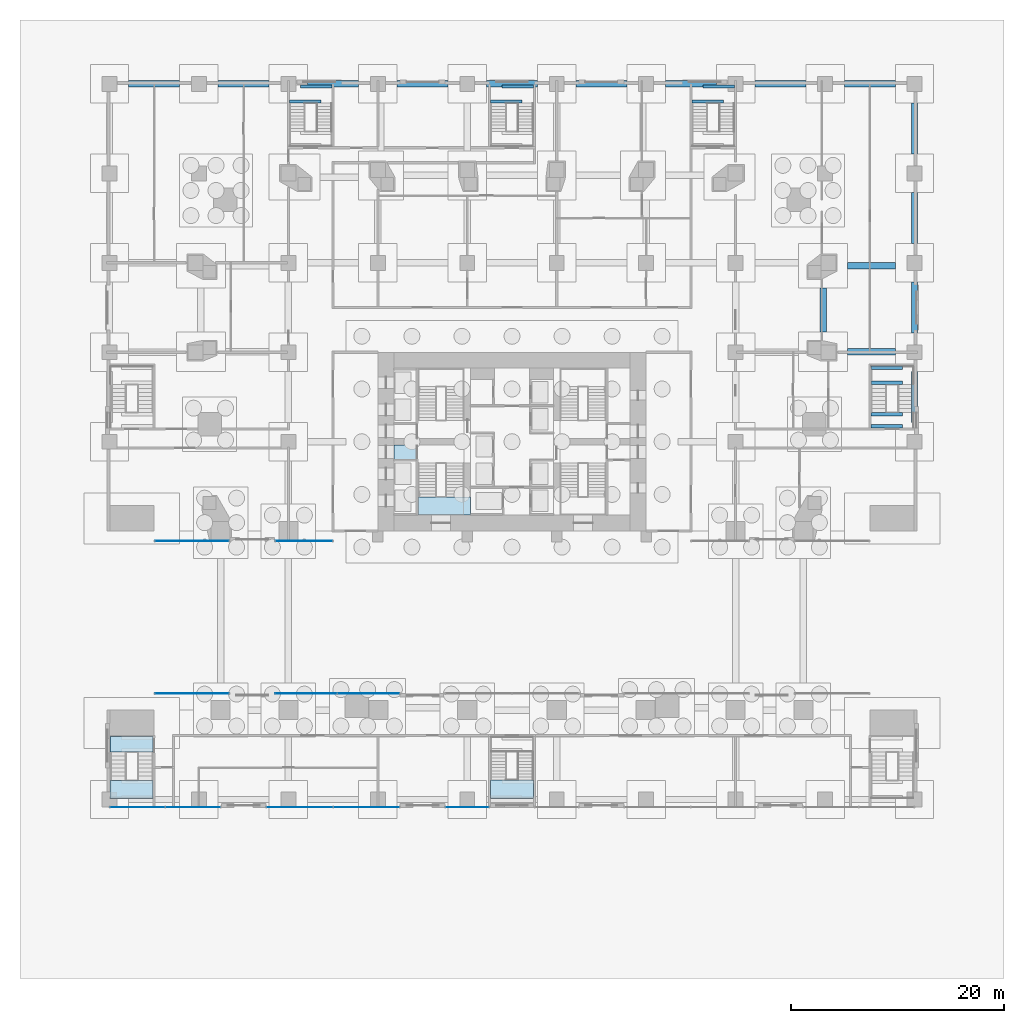
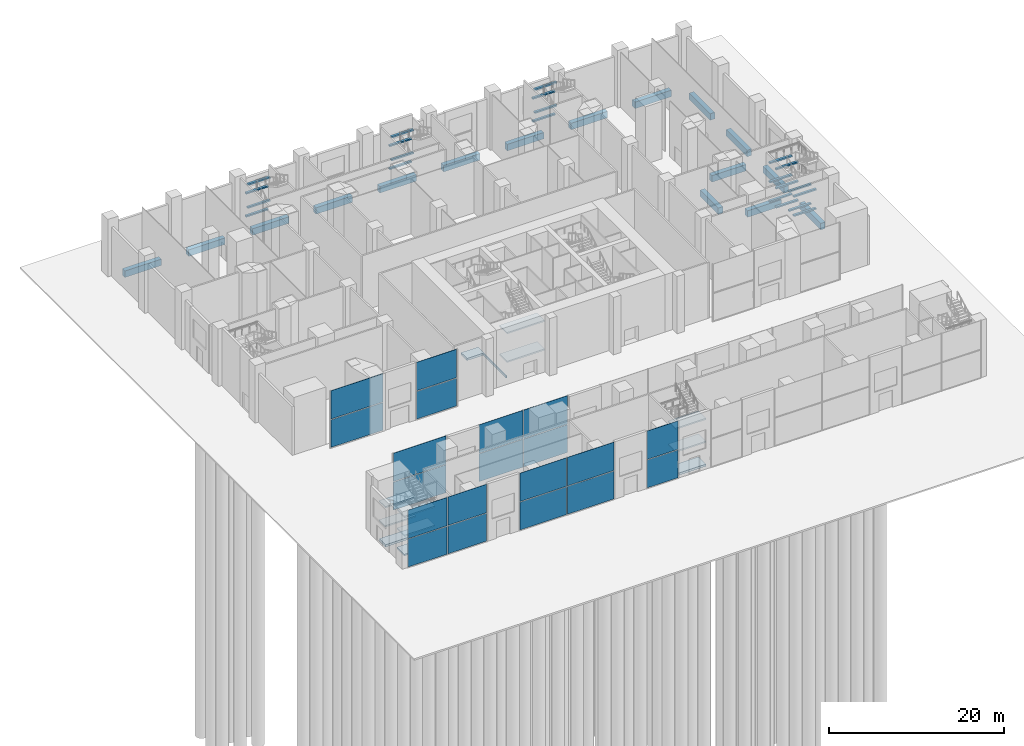
# One storey, part 10 of 31: 38 beams, 20 plates, 12 slabs, 10 elements without a shape of their own.
"""IFC4 building model written with IfcOpenShell, lengths in metres."""

from ifc_helpers import new_model, si_unit, direction, frame, origin, origin_2d, place, context, subcontext, project, spatial, polyline, rectangle, outline, extrude, material, layer, layer_set, material_profile, profile_set, type_object, element, aggregate, save


model = new_model("IFC4")

# Units and contexts
model_context = context("Model", 3, precision=1e-05, world=origin(), true_north=direction((0.0, 1.0)))
body_context = subcontext(model_context, "Body", "Model", "MODEL_VIEW")
ifc_project = project(units=[si_unit("LENGTHUNIT", "METRE"), si_unit("AREAUNIT", "SQUARE_METRE"), si_unit("VOLUMEUNIT", "CUBIC_METRE"), si_unit("PLANEANGLEUNIT", "RADIAN"), si_unit("MASSUNIT", "GRAM", prefix="KILO")], contexts=[model_context])

# Site, building, storey
site_placement = place(None, origin())
site = spatial("IfcSite", under=ifc_project, at=site_placement, CompositionType="ELEMENT")
building_placement = place(site_placement, origin())
building = spatial("IfcBuilding", under=site, at=building_placement, Name="Marenta Gate Hotel Tower", CompositionType="ELEMENT")
storey_placement = place(building_placement, origin())
storey = spatial("IfcBuildingStorey", under=building, at=storey_placement, Name="L00", CompositionType="ELEMENT", Elevation=0.0)

# Beams
ifc_material_1 = material(Name="Concrete C40", Category="concrete")
ifc_material_profile_1 = material_profile(ifc_material_1, rectangle(XDim=0.60009765625, YDim=0.89990234375, at=origin_2d()), Name="600 x 900")
ifc_profile_set_1 = profile_set([ifc_material_profile_1], Name="Concrete C40")
beam_type_1 = type_object("IfcBeamType", Name="Ground beam 600 x 900 C40", PredefinedType="BEAM", material=ifc_profile_set_1)
beam_1_placement = place(storey_placement, frame((31.52001953125, 16.8515625, -0.75), z_axis=(1.0, 0.0, 0.0), x_axis=(0.0, 1.0, 0.0)))
element("IfcBeam", 1, at=beam_1_placement, inside=storey, type_object=beam_type_1, Name="L00-GB-2", PredefinedType="BEAM", context=body_context, shape_type="SweptSolid", body=[
    extrude(rectangle(XDim=0.60009765625, YDim=0.89990234375, at=origin_2d()), origin(), (0.0, 0.0, 1.0), 4.47998046875),
])
beam_2_placement = place(storey_placement, frame((29.2099609375, 18.702880859375, -0.75), z_axis=(0.0, 1.0, 0.0), x_axis=(-1.0, 0.0, 0.0)))
element("IfcBeam", 2, at=beam_2_placement, inside=storey, type_object=beam_type_1, Name="L00-GB-3", PredefinedType="BEAM", context=body_context, shape_type="SweptSolid", body=[
    extrude(rectangle(XDim=0.60009765625, YDim=0.89990234375, at=origin_2d()), origin(), (0.0, 0.0, 1.0), 4.153076171875),
])
beam_3_placement = place(storey_placement, frame((31.52001953125, 24.927978515625, -0.75), z_axis=(1.0, 0.0, 0.0), x_axis=(0.0, 1.0, 0.0)))
element("IfcBeam", 3, at=beam_3_placement, inside=storey, type_object=beam_type_1, Name="L00-GB-4", PredefinedType="BEAM", context=body_context, shape_type="SweptSolid", body=[
    extrude(rectangle(XDim=0.60009765625, YDim=0.89990234375, at=origin_2d()), origin(), (0.0, 0.0, 1.0), 4.47998046875),
])
for number, where, z_axis, x_axis, name in (
    (4, (31.199951171875, 42.0, -0.75), (1.0, 0.0, 0.0), (0.0, 1.0, 0.0), "L00-GB-5"),
    (5, (37.800048828125, 10.199951171875, -0.75), (0.0, 1.0, 0.0), (-1.0, 0.0, 0.0), "L00-GB-6"),
):
    element("IfcBeam", number, at=place(storey_placement, frame(where, z_axis=z_axis, x_axis=x_axis)), inside=storey, type_object=beam_type_1, Name=name, PredefinedType="BEAM", context=body_context, shape_type="SweptSolid", body=[
        extrude(rectangle(XDim=0.60009765625, YDim=0.89990234375, at=origin_2d()), origin(), (0.0, 0.0, 1.0), 4.800048828125),
    ])
beam_4_placement = place(storey_placement, frame((37.800048828125, 18.60009765625, -0.75), z_axis=(0.0, 1.0, 0.0), x_axis=(-1.0, 0.0, 0.0)))
element("IfcBeam", 6, at=beam_4_placement, inside=storey, type_object=beam_type_1, Name="L00-GB-7", PredefinedType="BEAM", context=body_context, shape_type="SweptSolid", body=[
    extrude(rectangle(XDim=0.60009765625, YDim=0.89990234375, at=origin_2d()), origin(), (0.0, 0.0, 1.0), 4.7998046875),
])
for number, where, z_axis, x_axis, name in (
    (7, (37.800048828125, 27.0, -0.75), (0.0, 1.0, 0.0), (-1.0, 0.0, 0.0), "L00-GB-8"),
    (8, (37.800048828125, 35.39990234375, -0.75), (0.0, 1.0, 0.0), (-1.0, 0.0, 0.0), "L00-GB-9"),
    (9, (-36.0, 42.0, -0.75), (1.0, 0.0, 0.0), (0.0, 1.0, 0.0), "L00-GB-17"),
    (10, (-27.60009765625, 42.0, -0.75), (1.0, 0.0, 0.0), (0.0, 1.0, 0.0), "L00-GB-22"),
    (11, (-19.199951171875, 42.0, -0.75), (1.0, 0.0, 0.0), (0.0, 1.0, 0.0), "L00-GB-33"),
    (12, (-10.800048828125, 42.0, -0.75), (1.0, 0.0, 0.0), (0.0, 1.0, 0.0), "L00-GB-40"),
):
    element("IfcBeam", number, at=place(storey_placement, frame(where, z_axis=z_axis, x_axis=x_axis)), inside=storey, type_object=beam_type_1, Name=name, PredefinedType="BEAM", context=body_context, shape_type="SweptSolid", body=[
        extrude(rectangle(XDim=0.60009765625, YDim=0.89990234375, at=origin_2d()), origin(), (0.0, 0.0, 1.0), 4.800048828125),
    ])
beam_5_placement = place(storey_placement, frame((-2.39990234375, 42.0, -0.75), z_axis=(1.0, 0.0, 0.0), x_axis=(0.0, 1.0, 0.0)))
element("IfcBeam", 13, at=beam_5_placement, inside=storey, type_object=beam_type_1, Name="L00-GB-48", PredefinedType="BEAM", context=body_context, shape_type="SweptSolid", body=[
    extrude(rectangle(XDim=0.60009765625, YDim=0.89990234375, at=origin_2d()), origin(), (0.0, 0.0, 1.0), 4.7998046875),
])
for number, where, z_axis, x_axis, name in (
    (14, (6.0, 42.0, -0.75), (1.0, 0.0, 0.0), (0.0, 1.0, 0.0), "L00-GB-56"),
    (15, (14.39990234375, 42.0, -0.75), (1.0, 0.0, 0.0), (0.0, 1.0, 0.0), "L00-GB-63"),
    (16, (22.800048828125, 42.0, -0.75), (1.0, 0.0, 0.0), (0.0, 1.0, 0.0), "L00-GB-73"),
):
    element("IfcBeam", number, at=place(storey_placement, frame(where, z_axis=z_axis, x_axis=x_axis)), inside=storey, type_object=beam_type_1, Name=name, PredefinedType="BEAM", context=body_context, shape_type="SweptSolid", body=[
        extrude(rectangle(XDim=0.60009765625, YDim=0.89990234375, at=origin_2d()), origin(), (0.0, 0.0, 1.0), 4.800048828125),
    ])
ifc_material_2 = material(Name="Concrete C40", Category="concrete")
ifc_material_profile_2 = material_profile(ifc_material_2, rectangle(XDim=0.300048828125, YDim=0.199951171875, at=origin_2d()), Name="300 x 200")
ifc_profile_set_2 = profile_set([ifc_material_profile_2], Name="Concrete C40")
beam_type_2 = type_object("IfcBeamType", Name="Stair landing trimmer 300 x 200 C40", PredefinedType="BEAM", material=ifc_profile_set_2)
beam_6_placement = place(storey_placement, frame((-20.89990234375, 40.3349609375, 2.89990234375), z_axis=(1.0, 0.0, 0.0), x_axis=(0.0, 1.0, 0.0)))
element("IfcBeam", 17, at=beam_6_placement, inside=storey, type_object=beam_type_2, Name="L00-PX3-LT-3", PredefinedType="BEAM", context=body_context, shape_type="SweptSolid", body=[
    extrude(rectangle(XDim=0.300048828125, YDim=0.199951171875, at=origin_2d()), origin(), (0.0, 0.0, 1.0), 2.949951171875),
])
beam_7_placement = place(storey_placement, frame((-19.85009765625, 41.75, 2.89990234375), z_axis=(1.0, 0.0, 0.0), x_axis=(0.0, 1.0, 0.0)))
element("IfcBeam", 18, at=beam_7_placement, inside=storey, type_object=beam_type_2, Name="L00-PX3-LT-4", PredefinedType="BEAM", context=body_context, shape_type="SweptSolid", body=[
    extrude(rectangle(XDim=0.300048828125, YDim=0.199951171875, at=origin_2d()), origin(), (0.0, 0.0, 1.0), 2.9501953125),
])
beam_8_placement = place(storey_placement, frame((-20.89990234375, 40.3349609375, 6.10009765625), z_axis=(1.0, 0.0, 0.0), x_axis=(0.0, 1.0, 0.0)))
element("IfcBeam", 19, at=beam_8_placement, inside=storey, type_object=beam_type_2, Name="L00-PX3-LT-7", PredefinedType="BEAM", context=body_context, shape_type="SweptSolid", body=[
    extrude(rectangle(XDim=0.300048828125, YDim=0.199951171875, at=origin_2d()), origin(), (0.0, 0.0, 1.0), 2.949951171875),
])
for number, where, z_axis, x_axis, name in (
    (20, (-19.85009765625, 41.75, 6.10009765625), (1.0, 0.0, 0.0), (0.0, 1.0, 0.0), "L00-PX3-LT-8"),
    (21, (16.89990234375, 40.3349609375, 2.89990234375), (1.0, 0.0, 0.0), (0.0, 1.0, 0.0), "L00-PX4-LT-3"),
):
    element("IfcBeam", number, at=place(storey_placement, frame(where, z_axis=z_axis, x_axis=x_axis)), inside=storey, type_object=beam_type_2, Name=name, PredefinedType="BEAM", context=body_context, shape_type="SweptSolid", body=[
        extrude(rectangle(XDim=0.300048828125, YDim=0.199951171875, at=origin_2d()), origin(), (0.0, 0.0, 1.0), 2.9501953125),
    ])
beam_9_placement = place(storey_placement, frame((17.949951171875, 41.75, 2.89990234375), z_axis=(1.0, 0.0, 0.0), x_axis=(0.0, 1.0, 0.0)))
element("IfcBeam", 22, at=beam_9_placement, inside=storey, type_object=beam_type_2, Name="L00-PX4-LT-4", PredefinedType="BEAM", context=body_context, shape_type="SweptSolid", body=[
    extrude(rectangle(XDim=0.300048828125, YDim=0.199951171875, at=origin_2d()), origin(), (0.0, 0.0, 1.0), 2.949951171875),
])
beam_10_placement = place(storey_placement, frame((16.89990234375, 40.3349609375, 6.10009765625), z_axis=(1.0, 0.0, 0.0), x_axis=(0.0, 1.0, 0.0)))
element("IfcBeam", 23, at=beam_10_placement, inside=storey, type_object=beam_type_2, Name="L00-PX4-LT-7", PredefinedType="BEAM", context=body_context, shape_type="SweptSolid", body=[
    extrude(rectangle(XDim=0.300048828125, YDim=0.199951171875, at=origin_2d()), origin(), (0.0, 0.0, 1.0), 2.9501953125),
])
for number, where, z_axis, x_axis, name in (
    (24, (17.949951171875, 41.75, 6.10009765625), (1.0, 0.0, 0.0), (0.0, 1.0, 0.0), "L00-PX4-LT-8"),
    (25, (33.699951171875, 13.93994140625, 1.033203125), (1.0, 0.0, 0.0), (0.0, 1.0, 0.0), "L00-PX7-LT-1"),
    (26, (33.699951171875, 15.35009765625, 1.033203125), (1.0, 0.0, 0.0), (0.0, 1.0, 0.0), "L00-PX7-LT-2"),
    (27, (33.699951171875, 9.85009765625, 2.36669921875), (1.0, 0.0, 0.0), (0.0, 1.0, 0.0), "L00-PX7-LT-3"),
    (28, (33.699951171875, 10.97998046875, 2.36669921875), (1.0, 0.0, 0.0), (0.0, 1.0, 0.0), "L00-PX7-LT-4"),
    (29, (33.699951171875, 13.93994140625, 3.699951171875), (1.0, 0.0, 0.0), (0.0, 1.0, 0.0), "L00-PX7-LT-5"),
    (30, (33.699951171875, 15.35009765625, 3.699951171875), (1.0, 0.0, 0.0), (0.0, 1.0, 0.0), "L00-PX7-LT-6"),
    (31, (33.699951171875, 9.85009765625, 5.033203125), (1.0, 0.0, 0.0), (0.0, 1.0, 0.0), "L00-PX7-LT-7"),
    (32, (33.699951171875, 10.97998046875, 5.033203125), (1.0, 0.0, 0.0), (0.0, 1.0, 0.0), "L00-PX7-LT-8"),
    (33, (33.699951171875, 13.93994140625, 6.36669921875), (1.0, 0.0, 0.0), (0.0, 1.0, 0.0), "L00-PX7-LT-9"),
    (34, (33.699951171875, 15.35009765625, 6.36669921875), (1.0, 0.0, 0.0), (0.0, 1.0, 0.0), "L00-PX7-LT-10"),
    (35, (-2.0, 40.3349609375, 2.89990234375), (1.0, 0.0, 0.0), (0.0, 1.0, 0.0), "L00-PX8-LT-3"),
    (36, (-0.949951171875, 41.75, 2.89990234375), (1.0, 0.0, 0.0), (0.0, 1.0, 0.0), "L00-PX8-LT-4"),
    (37, (-2.0, 40.3349609375, 6.10009765625), (1.0, 0.0, 0.0), (0.0, 1.0, 0.0), "L00-PX8-LT-7"),
    (38, (-0.949951171875, 41.75, 6.10009765625), (1.0, 0.0, 0.0), (0.0, 1.0, 0.0), "L00-PX8-LT-8"),
):
    element("IfcBeam", number, at=place(storey_placement, frame(where, z_axis=z_axis, x_axis=x_axis)), inside=storey, type_object=beam_type_2, Name=name, PredefinedType="BEAM", context=body_context, shape_type="SweptSolid", body=[
        extrude(rectangle(XDim=0.300048828125, YDim=0.199951171875, at=origin_2d()), origin(), (0.0, 0.0, 1.0), 2.949951171875),
    ])

# Slab
ifc_material_3 = material(Name="Concrete C40", Category="concrete")
ifc_layer_1 = layer(ifc_material_3, 0.300048828125)
ifc_layer_set_1 = layer_set([ifc_layer_1], Name="Concrete C40")
slab_type_1 = type_object("IfcSlabType", Name="Core floor slab 300", PredefinedType="FLOOR", material=ifc_layer_set_1)
slab_1_placement = place(storey_placement, frame((0.0, 0.0, -0.300048828125)))
element("IfcSlab", 39, at=slab_1_placement, inside=storey, type_object=slab_type_1, Name="L00-CF-5", PredefinedType="FLOOR", context=body_context, shape_type="SweptSolid", body=[
    extrude(outline(polyline([(-8.85009765625, 8.10009765625), (-8.85009765625, 6.39990234375), (-8.85009765625, 1.5), (-9.0, 1.5), (-9.0, 1.64990234375), (-9.0, 4.050048828125), (-9.0, 4.199951171875), (-9.0, 6.60009765625), (-9.0, 6.75), (-11.10009765625, 6.75), (-11.10009765625, 8.10009765625), (-8.85009765625, 8.10009765625)])), origin(), (0.0, 0.0, 1.0), 0.300048828125),
])

# Stair, slabs
ifc_material_4 = material(Name="Concrete C40", Category="concrete")
stair_type_1 = type_object("IfcStairType", Name="Core exit stair 1700 wide", PredefinedType="HALF_TURN_STAIR", material=ifc_material_4)
stair_1_placement = place(storey_placement, origin())
stair_1 = element("IfcStair", 40, at=stair_1_placement, inside=storey, type_object=stair_type_1, Name="Exit stair 1", PredefinedType="HALF_TURN_STAIR")
ifc_material_5 = material(Name="Concrete C40", Category="concrete")
ifc_layer_2 = layer(ifc_material_5, 0.199951171875)
ifc_layer_set_2 = layer_set([ifc_layer_2], Name="Concrete C40")
slab_type_2 = type_object("IfcSlabType", Name="Core stair landing 200", PredefinedType="LANDING", material=ifc_layer_set_2)
slab_2_placement = place(storey_placement, frame((0.0, 0.0, 1.800048828125)))
slab_2 = element("IfcSlab", 41, at=slab_2_placement, type_object=slab_type_2, Name="SL-200 ST1 landing 1", PredefinedType="LANDING", context=body_context, shape_type="SweptSolid", body=[
    extrude(outline(polyline([(-8.85009765625, 1.5), (-3.89990234375, 1.5), (-3.89990234375, 3.2099609375), (-8.85009765625, 3.2099609375), (-8.85009765625, 1.5)])), origin(), (0.0, 0.0, 1.0), 0.199951171875),
])
slab_3_placement = place(storey_placement, frame((0.0, 0.0, 5.800048828125)))
slab_3 = element("IfcSlab", 42, at=slab_3_placement, type_object=slab_type_2, Name="SL-200 ST1 landing 3", PredefinedType="LANDING", context=body_context, shape_type="SweptSolid", body=[
    extrude(outline(polyline([(-8.85009765625, 1.5), (-3.89990234375, 1.5), (-3.89990234375, 3.2099609375), (-8.85009765625, 3.2099609375), (-8.85009765625, 1.5)])), origin(), (0.0, 0.0, 1.0), 0.199951171875),
])
aggregate(stair_1, [slab_2, slab_3])

ifc_material_6 = material(Name="Concrete C40", Category="concrete")
stair_type_2 = type_object("IfcStairType", Name="Podium exit stair 1430 wide", PredefinedType="HALF_TURN_STAIR", material=ifc_material_6)
stair_2_placement = place(storey_placement, origin())
stair_2 = element("IfcStair", 43, at=stair_2_placement, inside=storey, type_object=stair_type_2, Name="Podium exit stair 1", PredefinedType="HALF_TURN_STAIR")
slab_4_placement = place(storey_placement, frame((0.0, 0.0, 1.13330078125)))
slab_4 = element("IfcSlab", 44, at=slab_4_placement, type_object=slab_type_2, Name="SL-200 PX1 landing 1", PredefinedType="LANDING", context=body_context, shape_type="SweptSolid", body=[
    extrude(outline(polyline([(-37.739990234375, -25.10009765625), (-33.699951171875, -25.10009765625), (-33.699951171875, -23.389892578125), (-37.739990234375, -23.389892578125), (-37.739990234375, -25.10009765625)])), origin(), (0.0, 0.0, 1.0), 0.199951171875),
])
slab_5_placement = place(storey_placement, frame((0.0, 0.0, 2.466552734375)))
slab_5 = element("IfcSlab", 45, at=slab_5_placement, type_object=slab_type_2, Name="SL-200 PX1 landing 2", PredefinedType="LANDING", context=body_context, shape_type="SweptSolid", body=[
    extrude(outline(polyline([(-37.739990234375, -20.72998046875), (-33.699951171875, -20.72998046875), (-33.699951171875, -19.300048828125), (-37.739990234375, -19.300048828125), (-37.739990234375, -20.72998046875)])), origin(), (0.0, 0.0, 1.0), 0.2001953125),
])
slab_6_placement = place(storey_placement, frame((0.0, 0.0, 3.800048828125)))
slab_6 = element("IfcSlab", 46, at=slab_6_placement, type_object=slab_type_2, Name="SL-200 PX1 landing 3", PredefinedType="LANDING", context=body_context, shape_type="SweptSolid", body=[
    extrude(outline(polyline([(-37.739990234375, -25.10009765625), (-33.699951171875, -25.10009765625), (-33.699951171875, -23.389892578125), (-37.739990234375, -23.389892578125), (-37.739990234375, -25.10009765625)])), origin(), (0.0, 0.0, 1.0), 0.199951171875),
])
slab_7_placement = place(storey_placement, frame((0.0, 0.0, 5.13330078125)))
slab_7 = element("IfcSlab", 47, at=slab_7_placement, type_object=slab_type_2, Name="SL-200 PX1 landing 4", PredefinedType="LANDING", context=body_context, shape_type="SweptSolid", body=[
    extrude(outline(polyline([(-37.739990234375, -20.72998046875), (-33.699951171875, -20.72998046875), (-33.699951171875, -19.300048828125), (-37.739990234375, -19.300048828125), (-37.739990234375, -20.72998046875)])), origin(), (0.0, 0.0, 1.0), 0.199951171875),
])
slab_8_placement = place(storey_placement, frame((0.0, 0.0, 6.466552734375)))
slab_8 = element("IfcSlab", 48, at=slab_8_placement, type_object=slab_type_2, Name="SL-200 PX1 landing 5", PredefinedType="LANDING", context=body_context, shape_type="SweptSolid", body=[
    extrude(outline(polyline([(-37.739990234375, -25.10009765625), (-33.699951171875, -25.10009765625), (-33.699951171875, -23.389892578125), (-37.739990234375, -23.389892578125), (-37.739990234375, -25.10009765625)])), origin(), (0.0, 0.0, 1.0), 0.2001953125),
])
aggregate(stair_2, [slab_4, slab_5, slab_6, slab_7, slab_8])

stair_3_placement = place(storey_placement, origin())
stair_3 = element("IfcStair", 49, at=stair_3_placement, inside=storey, type_object=stair_type_2, Name="Podium exit stair 5", PredefinedType="HALF_TURN_STAIR")
slab_9_placement = place(storey_placement, frame((0.0, 0.0, 3.0)))
slab_9 = element("IfcSlab", 50, at=slab_9_placement, type_object=slab_type_2, Name="SL-200 PX5 landing 2", PredefinedType="LANDING", context=body_context, shape_type="SweptSolid", body=[
    extrude(outline(polyline([(-2.0, -25.10009765625), (2.0, -25.10009765625), (2.0, -23.385009765625), (-2.0, -23.385009765625), (-2.0, -25.10009765625)])), origin(), (0.0, 0.0, 1.0), 0.199951171875),
])
slab_10_placement = place(storey_placement, frame((0.0, 0.0, 6.199951171875)))
slab_10 = element("IfcSlab", 51, at=slab_10_placement, type_object=slab_type_2, Name="SL-200 PX5 landing 4", PredefinedType="LANDING", context=body_context, shape_type="SweptSolid", body=[
    extrude(outline(polyline([(-2.0, -25.10009765625), (2.0, -25.10009765625), (2.0, -23.385009765625), (-2.0, -23.385009765625), (-2.0, -25.10009765625)])), origin(), (0.0, 0.0, 1.0), 0.199951171875),
])
aggregate(stair_3, [slab_9, slab_10])

# Curtain wall, plates
ifc_material_7 = material(Name="Tinted insulated glass in bronze anodised frame", Category="glass")
ifc_layer_3 = layer(ifc_material_7, 0.1298828125)
ifc_layer_set_3 = layer_set([ifc_layer_3], Name="Tinted insulated glass in bronze anodised frame")
curtain_wall_type_1 = type_object("IfcCurtainWallType", Name="Podium shopfront glazing CW5", PredefinedType="NOTDEFINED", material=ifc_layer_set_3)
curtain_wall_1_placement = place(storey_placement, origin())
curtain_wall_1 = element("IfcCurtainWall", 52, at=curtain_wall_1_placement, inside=storey, type_object=curtain_wall_type_1, Name="CW5 run SB-S000", PredefinedType="NOTDEFINED")
ifc_material_8 = material(Name="Tinted insulated glass", Category="glass")
ifc_layer_4 = layer(ifc_material_8, 0.033935546875)
ifc_layer_set_4 = layer_set([ifc_layer_4], Name="Tinted insulated glass")
plate_type_1 = type_object("IfcPlateType", Name="Glass panel CW5 34 mm tinted insulated unit", PredefinedType="CURTAIN_PANEL", material=ifc_layer_set_4)
plate_1_placement = place(storey_placement, frame((-35.155029296875, -25.9189453125, 0.080078125), z_axis=(0.0, 0.0, 1.0), x_axis=(1.0, 0.0, 0.0)))
plate_1 = element("IfcPlate", 53, at=plate_1_placement, type_object=plate_type_1, Name="CW5 panel 1.1", PredefinedType="CURTAIN_PANEL", context=body_context, shape_type="SweptSolid", body=[
    extrude(rectangle(XDim=5.1298828125, YDim=0.033935546875, at=origin_2d()), origin(), (0.0, 0.0, 1.0), 3.8798828125),
])
plate_2_placement = place(storey_placement, frame((-35.155029296875, -25.9189453125, 4.0400390625), z_axis=(0.0, 0.0, 1.0), x_axis=(1.0, 0.0, 0.0)))
plate_2 = element("IfcPlate", 54, at=plate_2_placement, type_object=plate_type_1, Name="CW5 panel 1.2", PredefinedType="CURTAIN_PANEL", context=body_context, shape_type="SweptSolid", body=[
    extrude(rectangle(XDim=5.1298828125, YDim=0.033935546875, at=origin_2d()), origin(), (0.0, 0.0, 1.0), 3.9599609375),
])
plate_3_placement = place(storey_placement, frame((-29.945068359375, -25.9189453125, 0.080078125), z_axis=(0.0, 0.0, 1.0), x_axis=(1.0, 0.0, 0.0)))
plate_3 = element("IfcPlate", 55, at=plate_3_placement, type_object=plate_type_1, Name="CW5 panel 2.1", PredefinedType="CURTAIN_PANEL", context=body_context, shape_type="SweptSolid", body=[
    extrude(rectangle(XDim=5.1298828125, YDim=0.033935546875, at=origin_2d()), origin(), (0.0, 0.0, 1.0), 3.8798828125),
])
plate_4_placement = place(storey_placement, frame((-29.945068359375, -25.9189453125, 4.0400390625), z_axis=(0.0, 0.0, 1.0), x_axis=(1.0, 0.0, 0.0)))
plate_4 = element("IfcPlate", 56, at=plate_4_placement, type_object=plate_type_1, Name="CW5 panel 2.2", PredefinedType="CURTAIN_PANEL", context=body_context, shape_type="SweptSolid", body=[
    extrude(rectangle(XDim=5.1298828125, YDim=0.033935546875, at=origin_2d()), origin(), (0.0, 0.0, 1.0), 3.9599609375),
])
aggregate(curtain_wall_1, [plate_1, plate_2, plate_3, plate_4])

curtain_wall_2_placement = place(storey_placement, origin())
curtain_wall_2 = element("IfcCurtainWall", 57, at=curtain_wall_2_placement, inside=storey, type_object=curtain_wall_type_1, Name="CW5 run SB-S001", PredefinedType="NOTDEFINED")
plate_5_placement = place(storey_placement, frame((-19.929931640625, -25.9189453125, 0.080078125), z_axis=(0.0, 0.0, 1.0), x_axis=(1.0, 0.0, 0.0)))
plate_5 = element("IfcPlate", 58, at=plate_5_placement, type_object=plate_type_1, Name="CW5 panel 1.1", PredefinedType="CURTAIN_PANEL", context=body_context, shape_type="SweptSolid", body=[
    extrude(rectangle(XDim=6.179931640625, YDim=0.033935546875, at=origin_2d()), origin(), (0.0, 0.0, 1.0), 3.8798828125),
])
plate_6_placement = place(storey_placement, frame((-19.929931640625, -25.9189453125, 4.0400390625), z_axis=(0.0, 0.0, 1.0), x_axis=(1.0, 0.0, 0.0)))
plate_6 = element("IfcPlate", 59, at=plate_6_placement, type_object=plate_type_1, Name="CW5 panel 1.2", PredefinedType="CURTAIN_PANEL", context=body_context, shape_type="SweptSolid", body=[
    extrude(rectangle(XDim=6.179931640625, YDim=0.033935546875, at=origin_2d()), origin(), (0.0, 0.0, 1.0), 3.9599609375),
])
plate_7_placement = place(storey_placement, frame((-13.669921875, -25.9189453125, 0.080078125), z_axis=(0.0, 0.0, 1.0), x_axis=(1.0, 0.0, 0.0)))
plate_7 = element("IfcPlate", 60, at=plate_7_placement, type_object=plate_type_1, Name="CW5 panel 2.1", PredefinedType="CURTAIN_PANEL", context=body_context, shape_type="SweptSolid", body=[
    extrude(rectangle(XDim=6.179931640625, YDim=0.033935546875, at=origin_2d()), origin(), (0.0, 0.0, 1.0), 3.8798828125),
])
plate_8_placement = place(storey_placement, frame((-13.669921875, -25.9189453125, 4.0400390625), z_axis=(0.0, 0.0, 1.0), x_axis=(1.0, 0.0, 0.0)))
plate_8 = element("IfcPlate", 61, at=plate_8_placement, type_object=plate_type_1, Name="CW5 panel 2.2", PredefinedType="CURTAIN_PANEL", context=body_context, shape_type="SweptSolid", body=[
    extrude(rectangle(XDim=6.179931640625, YDim=0.033935546875, at=origin_2d()), origin(), (0.0, 0.0, 1.0), 3.9599609375),
])
aggregate(curtain_wall_2, [plate_5, plate_6, plate_7, plate_8])

curtain_wall_3_placement = place(storey_placement, origin())
curtain_wall_3 = element("IfcCurtainWall", 62, at=curtain_wall_3_placement, inside=storey, type_object=curtain_wall_type_1, Name="CW5 run SB-S002", PredefinedType="NOTDEFINED")
plate_9_placement = place(storey_placement, frame((-4.199951171875, -25.9189453125, 0.080078125), z_axis=(0.0, 0.0, 1.0), x_axis=(1.0, 0.0, 0.0)))
plate_9 = element("IfcPlate", 63, at=plate_9_placement, type_object=plate_type_1, Name="CW5 panel 1.1", PredefinedType="CURTAIN_PANEL", context=body_context, shape_type="SweptSolid", body=[
    extrude(rectangle(XDim=4.0400390625, YDim=0.033935546875, at=origin_2d()), origin(), (0.0, 0.0, 1.0), 3.8798828125),
])
plate_10_placement = place(storey_placement, frame((-4.199951171875, -25.9189453125, 4.0400390625), z_axis=(0.0, 0.0, 1.0), x_axis=(1.0, 0.0, 0.0)))
plate_10 = element("IfcPlate", 64, at=plate_10_placement, type_object=plate_type_1, Name="CW5 panel 1.2", PredefinedType="CURTAIN_PANEL", context=body_context, shape_type="SweptSolid", body=[
    extrude(rectangle(XDim=4.0400390625, YDim=0.033935546875, at=origin_2d()), origin(), (0.0, 0.0, 1.0), 3.9599609375),
])
aggregate(curtain_wall_3, [plate_9, plate_10])

curtain_wall_4_placement = place(storey_placement, origin())
curtain_wall_4 = element("IfcCurtainWall", 65, at=curtain_wall_4_placement, inside=storey, type_object=curtain_wall_type_1, Name="CW5 run SB-N003", PredefinedType="NOTDEFINED")
plate_11_placement = place(storey_placement, frame((-13.469970703125, -15.255859375, 0.080078125), z_axis=(0.0, 0.0, 1.0), x_axis=(-1.0, 0.0, 0.0)))
plate_11 = element("IfcPlate", 66, at=plate_11_placement, type_object=plate_type_1, Name="CW5 panel 1.1", PredefinedType="CURTAIN_PANEL", context=body_context, shape_type="SweptSolid", body=[
    extrude(rectangle(XDim=5.780029296875, YDim=0.033935546875, at=origin_2d()), origin(), (0.0, 0.0, 1.0), 3.8798828125),
])
plate_12_placement = place(storey_placement, frame((-13.469970703125, -15.255859375, 4.0400390625), z_axis=(0.0, 0.0, 1.0), x_axis=(-1.0, 0.0, 0.0)))
plate_12 = element("IfcPlate", 67, at=plate_12_placement, type_object=plate_type_1, Name="CW5 panel 1.2", PredefinedType="CURTAIN_PANEL", context=body_context, shape_type="SweptSolid", body=[
    extrude(rectangle(XDim=5.780029296875, YDim=0.033935546875, at=origin_2d()), origin(), (0.0, 0.0, 1.0), 3.9599609375),
])
plate_13_placement = place(storey_placement, frame((-19.330078125, -15.255859375, 0.080078125), z_axis=(0.0, 0.0, 1.0), x_axis=(-1.0, 0.0, 0.0)))
plate_13 = element("IfcPlate", 68, at=plate_13_placement, type_object=plate_type_1, Name="CW5 panel 2.1", PredefinedType="CURTAIN_PANEL", context=body_context, shape_type="SweptSolid", body=[
    extrude(rectangle(XDim=5.780029296875, YDim=0.033935546875, at=origin_2d()), origin(), (0.0, 0.0, 1.0), 3.8798828125),
])
plate_14_placement = place(storey_placement, frame((-19.330078125, -15.255859375, 4.0400390625), z_axis=(0.0, 0.0, 1.0), x_axis=(-1.0, 0.0, 0.0)))
plate_14 = element("IfcPlate", 69, at=plate_14_placement, type_object=plate_type_1, Name="CW5 panel 2.2", PredefinedType="CURTAIN_PANEL", context=body_context, shape_type="SweptSolid", body=[
    extrude(rectangle(XDim=5.780029296875, YDim=0.033935546875, at=origin_2d()), origin(), (0.0, 0.0, 1.0), 3.9599609375),
])
aggregate(curtain_wall_4, [plate_11, plate_12, plate_13, plate_14])

curtain_wall_5_placement = place(storey_placement, origin())
curtain_wall_5 = element("IfcCurtainWall", 70, at=curtain_wall_5_placement, inside=storey, type_object=curtain_wall_type_1, Name="CW5 run SB-N004", PredefinedType="NOTDEFINED")
plate_15_placement = place(storey_placement, frame((-30.050048828125, -15.255859375, 0.080078125), z_axis=(0.0, 0.0, 1.0), x_axis=(-1.0, 0.0, 0.0)))
plate_15 = element("IfcPlate", 71, at=plate_15_placement, type_object=plate_type_1, Name="CW5 panel 1.1", PredefinedType="CURTAIN_PANEL", context=body_context, shape_type="SweptSolid", body=[
    extrude(rectangle(XDim=6.93994140625, YDim=0.033935546875, at=origin_2d()), origin(), (0.0, 0.0, 1.0), 3.8798828125),
])
plate_16_placement = place(storey_placement, frame((-30.050048828125, -15.255859375, 4.0400390625), z_axis=(0.0, 0.0, 1.0), x_axis=(-1.0, 0.0, 0.0)))
plate_16 = element("IfcPlate", 72, at=plate_16_placement, type_object=plate_type_1, Name="CW5 panel 1.2", PredefinedType="CURTAIN_PANEL", context=body_context, shape_type="SweptSolid", body=[
    extrude(rectangle(XDim=6.93994140625, YDim=0.033935546875, at=origin_2d()), origin(), (0.0, 0.0, 1.0), 3.9599609375),
])
aggregate(curtain_wall_5, [plate_15, plate_16])

ifc_material_9 = material(Name="Tinted insulated glass in bronze anodised frame", Category="glass")
ifc_layer_5 = layer(ifc_material_9, 0.139892578125)
ifc_layer_set_5 = layer_set([ifc_layer_5], Name="Tinted insulated glass in bronze anodised frame")
curtain_wall_type_2 = type_object("IfcCurtainWallType", Name="Hotel lobby glazing CW6", PredefinedType="NOTDEFINED", material=ifc_layer_set_5)
curtain_wall_6_placement = place(storey_placement, origin())
curtain_wall_6 = element("IfcCurtainWall", 73, at=curtain_wall_6_placement, inside=storey, type_object=curtain_wall_type_2, Name="CW6 run NB-S000", PredefinedType="NOTDEFINED")
ifc_material_10 = material(Name="Tinted insulated glass", Category="glass")
ifc_layer_6 = layer(ifc_material_10, 0.0439453125)
ifc_layer_set_6 = layer_set([ifc_layer_6], Name="Tinted insulated glass")
plate_type_2 = type_object("IfcPlateType", Name="Glass panel CW6 44 mm tinted insulated unit", PredefinedType="CURTAIN_PANEL", material=ifc_layer_set_6)
plate_17_placement = place(storey_placement, frame((-30.050048828125, -0.924072265625, 0.099853515625), z_axis=(0.0, 0.0, 1.0), x_axis=(1.0, 0.0, 0.0)))
plate_17 = element("IfcPlate", 74, at=plate_17_placement, type_object=plate_type_2, Name="CW6 panel 1.1", PredefinedType="CURTAIN_PANEL", context=body_context, shape_type="SweptSolid", body=[
    extrude(rectangle(XDim=6.89990234375, YDim=0.0439453125, at=origin_2d()), origin(), (0.0, 0.0, 1.0), 3.85009765625),
])
plate_18_placement = place(storey_placement, frame((-30.050048828125, -0.924072265625, 4.0498046875), z_axis=(0.0, 0.0, 1.0), x_axis=(1.0, 0.0, 0.0)))
plate_18 = element("IfcPlate", 75, at=plate_18_placement, type_object=plate_type_2, Name="CW6 panel 1.2", PredefinedType="CURTAIN_PANEL", context=body_context, shape_type="SweptSolid", body=[
    extrude(rectangle(XDim=6.89990234375, YDim=0.0439453125, at=origin_2d()), origin(), (0.0, 0.0, 1.0), 3.949951171875),
])
aggregate(curtain_wall_6, [plate_17, plate_18])

curtain_wall_7_placement = place(storey_placement, origin())
curtain_wall_7 = element("IfcCurtainWall", 76, at=curtain_wall_7_placement, inside=storey, type_object=curtain_wall_type_2, Name="CW6 run NB-S001", PredefinedType="NOTDEFINED")
plate_19_placement = place(storey_placement, frame((-19.550048828125, -0.924072265625, 0.099853515625), z_axis=(0.0, 0.0, 1.0), x_axis=(1.0, 0.0, 0.0)))
plate_19 = element("IfcPlate", 77, at=plate_19_placement, type_object=plate_type_2, Name="CW6 panel 1.1", PredefinedType="CURTAIN_PANEL", context=body_context, shape_type="SweptSolid", body=[
    extrude(rectangle(XDim=5.300048828125, YDim=0.0439453125, at=origin_2d()), origin(), (0.0, 0.0, 1.0), 3.85009765625),
])
plate_20_placement = place(storey_placement, frame((-19.550048828125, -0.924072265625, 4.0498046875), z_axis=(0.0, 0.0, 1.0), x_axis=(1.0, 0.0, 0.0)))
plate_20 = element("IfcPlate", 78, at=plate_20_placement, type_object=plate_type_2, Name="CW6 panel 1.2", PredefinedType="CURTAIN_PANEL", context=body_context, shape_type="SweptSolid", body=[
    extrude(rectangle(XDim=5.300048828125, YDim=0.0439453125, at=origin_2d()), origin(), (0.0, 0.0, 1.0), 3.949951171875),
])
aggregate(curtain_wall_7, [plate_19, plate_20])

# Slabs
ifc_material_11 = material(Name="Concrete C40", Category="concrete")
ifc_layer_7 = layer(ifc_material_11, 0.300048828125)
ifc_layer_set_7 = layer_set([ifc_layer_7], Name="Concrete C40")
slab_type_3 = type_object("IfcSlabType", Name="Stair floor landing slab 300", PredefinedType="FLOOR", material=ifc_layer_set_7)
slab_11_placement = place(storey_placement, frame((0.0, 0.0, -0.300048828125)))
element("IfcSlab", 79, at=slab_11_placement, inside=storey, type_object=slab_type_3, Name="L00-CL-PX1-1", PredefinedType="FLOOR", context=body_context, shape_type="SweptSolid", body=[
    extrude(outline(polyline([(-33.699951171875, -20.72998046875), (-37.699951171875, -20.72998046875), (-37.699951171875, -19.300048828125), (-33.699951171875, -19.300048828125), (-33.699951171875, -20.72998046875)])), origin(), (0.0, 0.0, 1.0), 0.300048828125),
])
slab_12_placement = place(storey_placement, frame((0.0, 0.0, -0.300048828125)))
element("IfcSlab", 80, at=slab_12_placement, inside=storey, type_object=slab_type_3, Name="L00-CL-PX5-1", PredefinedType="FLOOR", context=body_context, shape_type="SweptSolid", body=[
    extrude(outline(polyline([(2.0, -25.10009765625), (-2.0, -25.10009765625), (-2.0, -23.385009765625), (2.0, -23.385009765625), (2.0, -25.10009765625)])), origin(), (0.0, 0.0, 1.0), 0.300048828125),
])

save(model, "model.ifc")
